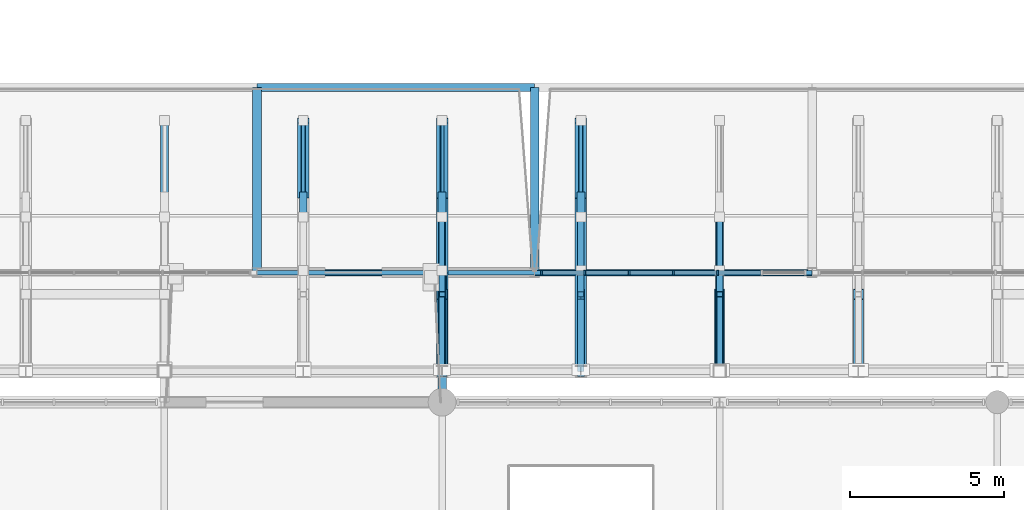
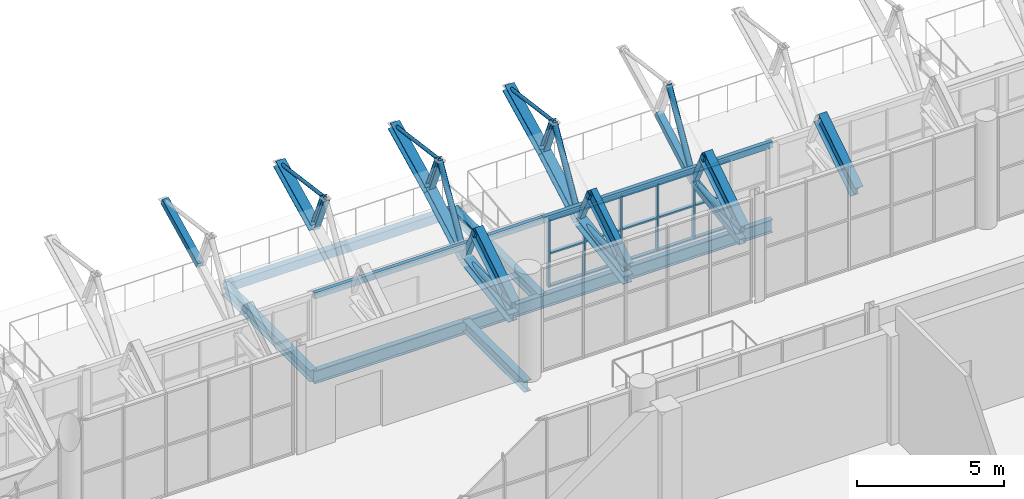
# One storey, part 61 of 134: 45 members, 12 beams, 1 element without a shape of its own.
"""IFC4 building model written with IfcOpenShell, lengths in metres."""

from ifc_helpers import new_model, si_unit, direction, frame, origin, origin_2d, place, context, subcontext, project, spatial, rectangle, hollow_rectangle, hollow_circle, i_section, extrude, material, layer, layer_set, material_profile, profile_set, type_object, element, aggregate, save


model = new_model("IFC4")

# Units and contexts
model_context = context("Model", 3, precision=1e-05, world=origin(), true_north=direction((0.0, 1.0)))
body_context = subcontext(model_context, "Body", "Model", "MODEL_VIEW")
ifc_project = project(units=[si_unit("LENGTHUNIT", "METRE"), si_unit("AREAUNIT", "SQUARE_METRE"), si_unit("VOLUMEUNIT", "CUBIC_METRE"), si_unit("PLANEANGLEUNIT", "RADIAN"), si_unit("MASSUNIT", "GRAM", prefix="KILO")], contexts=[model_context])

# Site, building, storey
site_placement = place(None, origin())
site = spatial("IfcSite", under=ifc_project, at=site_placement, CompositionType="ELEMENT")
building_placement = place(site_placement, origin())
building = spatial("IfcBuilding", under=site, at=building_placement, Name="Cazmaro Siding Exhibition Halls", CompositionType="ELEMENT")
storey_placement = place(building_placement, frame((0.0, 0.0, 12.0)))
storey = spatial("IfcBuildingStorey", under=building, at=storey_placement, Name="L02", CompositionType="ELEMENT", Elevation=12.0)

# Beams
ifc_material_1 = material(Name="Steel ASTM A992 Grade 50", Category="steel")
ifc_material_profile_1 = material_profile(ifc_material_1, i_section(OverallWidth=0.327880859375, OverallDepth=0.626953125, WebThickness=0.01708984375, FlangeThickness=0.028076171875, at=origin_2d()), Name="W24X146")
ifc_profile_set_1 = profile_set([ifc_material_profile_1], Name="Steel ASTM A992 Grade 50")
beam_type_1 = type_object("IfcBeamType", Name="AR-01", PredefinedType="USERDEFINED", material=ifc_profile_set_1)
beam_1_placement = place(storey_placement, frame((99.0, 64.0, 2.300048828125), z_axis=(0.0, 0.843339173298, 0.537381650954), x_axis=(-1.0, 0.0, 0.0)))
element("IfcBeam", 1, at=beam_1_placement, inside=storey, type_object=beam_type_1, Name="Space frame barrel vault arched rib AR-01 BM-0823", ObjectType="ARCHED RIB", PredefinedType="USERDEFINED", context=body_context, shape_type="SweptSolid", body=[
    extrude(i_section(OverallWidth=0.327880859375, OverallDepth=0.626953125, WebThickness=0.01708984375, FlangeThickness=0.028076171875, at=origin_2d()), origin(), (0.0, 0.0, 1.0), 2.96435546875),
])
ifc_material_2 = material(Name="Steel ASTM A992 Grade 50", Category="steel")
ifc_material_profile_2 = material_profile(ifc_material_2, i_section(OverallWidth=0.324951171875, OverallDepth=0.612060546875, WebThickness=0.012939453125, FlangeThickness=0.01904296875, at=origin_2d()), Name="W24X104")
ifc_profile_set_2 = profile_set([ifc_material_profile_2], Name="Steel ASTM A992 Grade 50")
beam_type_2 = type_object("IfcBeamType", Name="AR-02", PredefinedType="USERDEFINED", material=ifc_profile_set_2)
for number, where, z_axis, x_axis, name in (
    (2, (90.0, 64.0, 2.300048828125), (0.0, 0.843339173298, 0.537381650954), (-1.0, 0.0, 0.0), "Space frame barrel vault arched rib AR-02 BM-0775"),
    (3, (103.5, 64.0, 2.300048828125), (0.0, 0.843339173298, 0.537381650954), (-1.0, 0.0, 0.0), "Space frame barrel vault arched rib AR-02 BM-0847"),
):
    element("IfcBeam", number, at=place(storey_placement, frame(where, z_axis=z_axis, x_axis=x_axis)), inside=storey, type_object=beam_type_2, Name=name, ObjectType="ARCHED RIB", PredefinedType="USERDEFINED", context=body_context, shape_type="SweptSolid", body=[
        extrude(i_section(OverallWidth=0.324951171875, OverallDepth=0.612060546875, WebThickness=0.012939453125, FlangeThickness=0.01904296875, at=origin_2d()), origin(), (0.0, 0.0, 1.0), 2.96435546875),
    ])
ifc_material_3 = material(Name="Steel ASTM A992 Grade 50", Category="steel")
ifc_material_profile_3 = material_profile(ifc_material_3, i_section(OverallWidth=0.22900390625, OverallDepth=0.612060546875, WebThickness=0.011962890625, FlangeThickness=0.02001953125, at=origin_2d()), Name="W24X84")
ifc_profile_set_3 = profile_set([ifc_material_profile_3], Name="Steel ASTM A992 Grade 50")
beam_type_3 = type_object("IfcBeamType", Name="AR-03", PredefinedType="USERDEFINED", material=ifc_profile_set_3)
beam_2_placement = place(storey_placement, frame((94.5, 64.0, 2.300048828125), z_axis=(0.0, 0.843339173298, 0.537381650954), x_axis=(-1.0, 0.0, 0.0)))
element("IfcBeam", 4, at=beam_2_placement, inside=storey, type_object=beam_type_3, Name="Space frame barrel vault arched rib AR-03 BM-0799", ObjectType="ARCHED RIB", PredefinedType="USERDEFINED", context=body_context, shape_type="SweptSolid", body=[
    extrude(i_section(OverallWidth=0.22900390625, OverallDepth=0.612060546875, WebThickness=0.011962890625, FlangeThickness=0.02001953125, at=origin_2d()), origin(), (0.0, 0.0, 1.0), 2.96435546875),
])
ifc_material_4 = material(Name="Steel ASTM A992 Grade 50", Category="steel")
ifc_material_profile_4 = material_profile(ifc_material_4, i_section(OverallWidth=0.2099609375, OverallDepth=0.535888671875, WebThickness=0.010986328125, FlangeThickness=0.01708984375, at=origin_2d()), Name="W21X68")
ifc_profile_set_4 = profile_set([ifc_material_profile_4], Name="Steel ASTM A992 Grade 50")
beam_type_4 = type_object("IfcBeamType", Name="B-02", PredefinedType="BEAM", material=ifc_profile_set_4)
for number, where, z_axis, x_axis, name in (
    (5, (84.0, 67.199951171875, -0.488037109375), (1.0, 0.0, 0.0), (0.0, 1.0, 0.0), "Beam B-02 BM-0457"),
    (6, (93.0, 67.199951171875, -0.488037109375), (1.0, 0.0, 0.0), (0.0, 1.0, 0.0), "Beam B-02 BM-0459"),
):
    element("IfcBeam", number, at=place(storey_placement, frame(where, z_axis=z_axis, x_axis=x_axis)), inside=storey, type_object=beam_type_4, Name=name, PredefinedType="BEAM", context=body_context, shape_type="SweptSolid", body=[
        extrude(i_section(OverallWidth=0.2099609375, OverallDepth=0.535888671875, WebThickness=0.010986328125, FlangeThickness=0.01708984375, at=origin_2d()), origin(), (0.0, 0.0, 1.0), 9.0),
    ])
ifc_material_5 = material(Name="Steel ASTM A992 Grade 50", Category="steel")
ifc_material_profile_5 = material_profile(ifc_material_5, i_section(OverallWidth=0.279052734375, OverallDepth=0.4619140625, WebThickness=0.010986328125, FlangeThickness=0.01708984375, at=origin_2d()), Name="W18X76")
ifc_profile_set_5 = profile_set([ifc_material_profile_5], Name="Steel ASTM A992 Grade 50")
beam_type_5 = type_object("IfcBeamType", Name="B-03", PredefinedType="BEAM", material=ifc_profile_set_5)
for number, where, z_axis, x_axis, name in (
    (7, (84.0, 67.199951171875, -0.450927734375), (0.0, 1.0, 0.0), (-1.0, 0.0, 0.0), "Beam B-03 BM-0476"),
    (8, (93.0, 67.199951171875, -0.450927734375), (0.0, 1.0, 0.0), (-1.0, 0.0, 0.0), "Beam B-03 BM-0477"),
):
    element("IfcBeam", number, at=place(storey_placement, frame(where, z_axis=z_axis, x_axis=x_axis)), inside=storey, type_object=beam_type_5, Name=name, PredefinedType="BEAM", context=body_context, shape_type="SweptSolid", body=[
        extrude(i_section(OverallWidth=0.279052734375, OverallDepth=0.4619140625, WebThickness=0.010986328125, FlangeThickness=0.01708984375, at=origin_2d()), origin(), (0.0, 0.0, 1.0), 6.0),
    ])
beam_3_placement = place(storey_placement, frame((90.0, 63.0, -0.450927734375), z_axis=(0.0, 1.0, 0.0), x_axis=(-1.0, 0.0, 0.0)))
element("IfcBeam", 9, at=beam_3_placement, inside=storey, type_object=beam_type_5, Name="Beam B-03 BM-2521", PredefinedType="BEAM", context=body_context, shape_type="SweptSolid", body=[
    extrude(i_section(OverallWidth=0.279052734375, OverallDepth=0.4619140625, WebThickness=0.010986328125, FlangeThickness=0.01708984375, at=origin_2d()), origin(), (0.0, 0.0, 1.0), 4.199951171875),
])
ifc_material_6 = material(Name="Steel ASTM A500 Grade C", Category="steel")
ifc_material_profile_6 = material_profile(ifc_material_6, hollow_rectangle(XDim=0.25390625, YDim=0.35595703125, WallThickness=0.014892578125, at=origin_2d()), Name="HSS14X10X5/8")
ifc_profile_set_6 = profile_set([ifc_material_profile_6], Name="Steel ASTM A500 Grade C")
beam_type_6 = type_object("IfcBeamType", Name="B-06", PredefinedType="BEAM", material=ifc_profile_set_6)
beam_4_placement = place(storey_placement, frame((84.0, 73.199951171875, -0.39794921875), z_axis=(1.0, 0.0, 0.0), x_axis=(0.0, 1.0, 0.0)))
element("IfcBeam", 10, at=beam_4_placement, inside=storey, type_object=beam_type_6, Name="Beam B-06 BM-0458", PredefinedType="BEAM", context=body_context, shape_type="SweptSolid", body=[
    extrude(hollow_rectangle(XDim=0.25390625, YDim=0.35595703125, WallThickness=0.014892578125, at=origin_2d()), origin(), (0.0, 0.0, 1.0), 9.0),
])

# Curtain wall, members
ifc_material_7 = material(Name="Anodized Bronze Aluminum and Solar-Control Low-E Glazing", Category="aluminium")
ifc_layer = layer(ifc_material_7, 0.159912109375)
ifc_layer_set = layer_set([ifc_layer], Name="Anodized Bronze Aluminum and Solar-Control Low-E Glazing")
curtain_wall_type = type_object("IfcCurtainWallType", Name="CWS-04", PredefinedType="USERDEFINED", material=ifc_layer_set)
curtain_wall_placement = place(storey_placement, origin())
curtain_wall = element("IfcCurtainWall", 11, at=curtain_wall_placement, inside=storey, type_object=curtain_wall_type, Name="Clerestory Curtain Wall CWS-04 CW-021", ObjectType="CLERESTORY CURTAIN WALL", PredefinedType="USERDEFINED")
ifc_material_8 = material(Name="Anodized Bronze Extruded Aluminum", Category="aluminium")
ifc_material_profile_7 = material_profile(ifc_material_8, rectangle(XDim=0.159912109375, YDim=0.06005859375, at=origin_2d()), Name="CWM-04")
ifc_profile_set_7 = profile_set([ifc_material_profile_7], Name="Anodized Bronze Extruded Aluminum")
member_type_1 = type_object("IfcMemberType", Name="CWM-04", PredefinedType="MULLION", material=ifc_profile_set_7)
member_1_placement = place(storey_placement, frame((93.22705078125, 67.199951171875, 0.0), z_axis=(0.0, 0.0, 1.0), x_axis=(0.0, 1.0, 0.0)))
member_1 = element("IfcMember", 12, at=member_1_placement, type_object=member_type_1, Name="CWS-04 mullion 1", PredefinedType="MULLION", context=body_context, shape_type="SweptSolid", body=[
    extrude(rectangle(XDim=0.159912109375, YDim=0.06005859375, at=origin_2d()), origin(), (0.0, 0.0, 1.0), 2.800048828125),
])
member_2_placement = place(storey_placement, frame((94.63134765625, 67.199951171875, 0.0), z_axis=(0.0, 0.0, 1.0), x_axis=(0.0, 1.0, 0.0)))
member_2 = element("IfcMember", 13, at=member_2_placement, type_object=member_type_1, Name="CWS-04 mullion 2", PredefinedType="MULLION", context=body_context, shape_type="SweptSolid", body=[
    extrude(rectangle(XDim=0.159912109375, YDim=0.06005859375, at=origin_2d()), origin(), (0.0, 0.0, 1.0), 2.800048828125),
])
member_3_placement = place(storey_placement, frame((96.065673828125, 67.199951171875, 0.0), z_axis=(0.0, 0.0, 1.0), x_axis=(0.0, 1.0, 0.0)))
member_3 = element("IfcMember", 14, at=member_3_placement, type_object=member_type_1, Name="CWS-04 mullion 3", PredefinedType="MULLION", context=body_context, shape_type="SweptSolid", body=[
    extrude(rectangle(XDim=0.159912109375, YDim=0.06005859375, at=origin_2d()), origin(), (0.0, 0.0, 1.0), 2.800048828125),
])
member_4_placement = place(storey_placement, frame((97.5, 67.199951171875, 0.0), z_axis=(0.0, 0.0, 1.0), x_axis=(0.0, 1.0, 0.0)))
member_4 = element("IfcMember", 15, at=member_4_placement, type_object=member_type_1, Name="CWS-04 mullion 4", PredefinedType="MULLION", context=body_context, shape_type="SweptSolid", body=[
    extrude(rectangle(XDim=0.159912109375, YDim=0.06005859375, at=origin_2d()), origin(), (0.0, 0.0, 1.0), 2.800048828125),
])
member_5_placement = place(storey_placement, frame((98.934326171875, 67.199951171875, 0.0), z_axis=(0.0, 0.0, 1.0), x_axis=(0.0, 1.0, 0.0)))
member_5 = element("IfcMember", 16, at=member_5_placement, type_object=member_type_1, Name="CWS-04 mullion 5", PredefinedType="MULLION", context=body_context, shape_type="SweptSolid", body=[
    extrude(rectangle(XDim=0.159912109375, YDim=0.06005859375, at=origin_2d()), origin(), (0.0, 0.0, 1.0), 2.800048828125),
])
ifc_material_9 = material(Name="Anodized Bronze Extruded Aluminum", Category="aluminium")
ifc_material_profile_8 = material_profile(ifc_material_9, rectangle(XDim=0.139892578125, YDim=0.06005859375, at=origin_2d()), Name="CWT-04")
ifc_profile_set_8 = profile_set([ifc_material_profile_8], Name="Anodized Bronze Extruded Aluminum")
member_type_2 = type_object("IfcMemberType", Name="CWT-04", PredefinedType="MULLION", material=ifc_profile_set_8)
member_6_placement = place(storey_placement, frame((93.257080078125, 67.199951171875, 0.030029296875), z_axis=(1.0, 0.0, 0.0), x_axis=(0.0, 1.0, 0.0)))
member_6 = element("IfcMember", 17, at=member_6_placement, type_object=member_type_2, Name="CWS-04 transom 1.1", ObjectType="TRANSOM", PredefinedType="USERDEFINED", context=body_context, shape_type="SweptSolid", body=[
    extrude(rectangle(XDim=0.139892578125, YDim=0.06005859375, at=origin_2d()), origin(), (0.0, 0.0, 1.0), 1.34423828125),
])
member_7_placement = place(storey_placement, frame((93.257080078125, 67.199951171875, 1.39990234375), z_axis=(1.0, 0.0, 0.0), x_axis=(0.0, 1.0, 0.0)))
member_7 = element("IfcMember", 18, at=member_7_placement, type_object=member_type_2, Name="CWS-04 transom 1.2", ObjectType="TRANSOM", PredefinedType="USERDEFINED", context=body_context, shape_type="SweptSolid", body=[
    extrude(rectangle(XDim=0.139892578125, YDim=0.06005859375, at=origin_2d()), origin(), (0.0, 0.0, 1.0), 1.34423828125),
])
member_8_placement = place(storey_placement, frame((93.257080078125, 67.199951171875, 2.77001953125), z_axis=(1.0, 0.0, 0.0), x_axis=(0.0, 1.0, 0.0)))
member_8 = element("IfcMember", 19, at=member_8_placement, type_object=member_type_2, Name="CWS-04 transom 1.3", ObjectType="TRANSOM", PredefinedType="USERDEFINED", context=body_context, shape_type="SweptSolid", body=[
    extrude(rectangle(XDim=0.139892578125, YDim=0.06005859375, at=origin_2d()), origin(), (0.0, 0.0, 1.0), 1.34423828125),
])
member_9_placement = place(storey_placement, frame((94.661376953125, 67.199951171875, 0.030029296875), z_axis=(1.0, 0.0, 0.0), x_axis=(0.0, 1.0, 0.0)))
member_9 = element("IfcMember", 20, at=member_9_placement, type_object=member_type_2, Name="CWS-04 transom 2.1", ObjectType="TRANSOM", PredefinedType="USERDEFINED", context=body_context, shape_type="SweptSolid", body=[
    extrude(rectangle(XDim=0.139892578125, YDim=0.06005859375, at=origin_2d()), origin(), (0.0, 0.0, 1.0), 1.374267578125),
])
member_10_placement = place(storey_placement, frame((94.661376953125, 67.199951171875, 1.39990234375), z_axis=(1.0, 0.0, 0.0), x_axis=(0.0, 1.0, 0.0)))
member_10 = element("IfcMember", 21, at=member_10_placement, type_object=member_type_2, Name="CWS-04 transom 2.2", ObjectType="TRANSOM", PredefinedType="USERDEFINED", context=body_context, shape_type="SweptSolid", body=[
    extrude(rectangle(XDim=0.139892578125, YDim=0.06005859375, at=origin_2d()), origin(), (0.0, 0.0, 1.0), 1.374267578125),
])
member_11_placement = place(storey_placement, frame((94.661376953125, 67.199951171875, 2.77001953125), z_axis=(1.0, 0.0, 0.0), x_axis=(0.0, 1.0, 0.0)))
member_11 = element("IfcMember", 22, at=member_11_placement, type_object=member_type_2, Name="CWS-04 transom 2.3", ObjectType="TRANSOM", PredefinedType="USERDEFINED", context=body_context, shape_type="SweptSolid", body=[
    extrude(rectangle(XDim=0.139892578125, YDim=0.06005859375, at=origin_2d()), origin(), (0.0, 0.0, 1.0), 1.374267578125),
])
member_12_placement = place(storey_placement, frame((96.095703125, 67.199951171875, 0.030029296875), z_axis=(1.0, 0.0, 0.0), x_axis=(0.0, 1.0, 0.0)))
member_12 = element("IfcMember", 23, at=member_12_placement, type_object=member_type_2, Name="CWS-04 transom 3.1", ObjectType="TRANSOM", PredefinedType="USERDEFINED", context=body_context, shape_type="SweptSolid", body=[
    extrude(rectangle(XDim=0.139892578125, YDim=0.06005859375, at=origin_2d()), origin(), (0.0, 0.0, 1.0), 1.374267578125),
])
member_13_placement = place(storey_placement, frame((96.095703125, 67.199951171875, 1.39990234375), z_axis=(1.0, 0.0, 0.0), x_axis=(0.0, 1.0, 0.0)))
member_13 = element("IfcMember", 24, at=member_13_placement, type_object=member_type_2, Name="CWS-04 transom 3.2", ObjectType="TRANSOM", PredefinedType="USERDEFINED", context=body_context, shape_type="SweptSolid", body=[
    extrude(rectangle(XDim=0.139892578125, YDim=0.06005859375, at=origin_2d()), origin(), (0.0, 0.0, 1.0), 1.374267578125),
])
member_14_placement = place(storey_placement, frame((96.095703125, 67.199951171875, 2.77001953125), z_axis=(1.0, 0.0, 0.0), x_axis=(0.0, 1.0, 0.0)))
member_14 = element("IfcMember", 25, at=member_14_placement, type_object=member_type_2, Name="CWS-04 transom 3.3", ObjectType="TRANSOM", PredefinedType="USERDEFINED", context=body_context, shape_type="SweptSolid", body=[
    extrude(rectangle(XDim=0.139892578125, YDim=0.06005859375, at=origin_2d()), origin(), (0.0, 0.0, 1.0), 1.374267578125),
])
member_15_placement = place(storey_placement, frame((97.530029296875, 67.199951171875, 0.030029296875), z_axis=(1.0, 0.0, 0.0), x_axis=(0.0, 1.0, 0.0)))
member_15 = element("IfcMember", 26, at=member_15_placement, type_object=member_type_2, Name="CWS-04 transom 4.1", ObjectType="TRANSOM", PredefinedType="USERDEFINED", context=body_context, shape_type="SweptSolid", body=[
    extrude(rectangle(XDim=0.139892578125, YDim=0.06005859375, at=origin_2d()), origin(), (0.0, 0.0, 1.0), 1.374267578125),
])
member_16_placement = place(storey_placement, frame((97.530029296875, 67.199951171875, 1.39990234375), z_axis=(1.0, 0.0, 0.0), x_axis=(0.0, 1.0, 0.0)))
member_16 = element("IfcMember", 27, at=member_16_placement, type_object=member_type_2, Name="CWS-04 transom 4.2", ObjectType="TRANSOM", PredefinedType="USERDEFINED", context=body_context, shape_type="SweptSolid", body=[
    extrude(rectangle(XDim=0.139892578125, YDim=0.06005859375, at=origin_2d()), origin(), (0.0, 0.0, 1.0), 1.374267578125),
])
member_17_placement = place(storey_placement, frame((97.530029296875, 67.199951171875, 2.77001953125), z_axis=(1.0, 0.0, 0.0), x_axis=(0.0, 1.0, 0.0)))
member_17 = element("IfcMember", 28, at=member_17_placement, type_object=member_type_2, Name="CWS-04 transom 4.3", ObjectType="TRANSOM", PredefinedType="USERDEFINED", context=body_context, shape_type="SweptSolid", body=[
    extrude(rectangle(XDim=0.139892578125, YDim=0.06005859375, at=origin_2d()), origin(), (0.0, 0.0, 1.0), 1.374267578125),
])
member_18_placement = place(storey_placement, frame((98.96435546875, 67.199951171875, 0.030029296875), z_axis=(1.0, 0.0, 0.0), x_axis=(0.0, 1.0, 0.0)))
member_18 = element("IfcMember", 29, at=member_18_placement, type_object=member_type_2, Name="CWS-04 transom 5.1", ObjectType="TRANSOM", PredefinedType="USERDEFINED", context=body_context, shape_type="SweptSolid", body=[
    extrude(rectangle(XDim=0.139892578125, YDim=0.06005859375, at=origin_2d()), origin(), (0.0, 0.0, 1.0), 1.374267578125),
])
member_19_placement = place(storey_placement, frame((98.96435546875, 67.199951171875, 1.39990234375), z_axis=(1.0, 0.0, 0.0), x_axis=(0.0, 1.0, 0.0)))
member_19 = element("IfcMember", 30, at=member_19_placement, type_object=member_type_2, Name="CWS-04 transom 5.2", ObjectType="TRANSOM", PredefinedType="USERDEFINED", context=body_context, shape_type="SweptSolid", body=[
    extrude(rectangle(XDim=0.139892578125, YDim=0.06005859375, at=origin_2d()), origin(), (0.0, 0.0, 1.0), 1.374267578125),
])
member_20_placement = place(storey_placement, frame((98.96435546875, 67.199951171875, 2.77001953125), z_axis=(1.0, 0.0, 0.0), x_axis=(0.0, 1.0, 0.0)))
member_20 = element("IfcMember", 31, at=member_20_placement, type_object=member_type_2, Name="CWS-04 transom 5.3", ObjectType="TRANSOM", PredefinedType="USERDEFINED", context=body_context, shape_type="SweptSolid", body=[
    extrude(rectangle(XDim=0.139892578125, YDim=0.06005859375, at=origin_2d()), origin(), (0.0, 0.0, 1.0), 1.374267578125),
])
aggregate(curtain_wall, [member_1, member_2, member_3, member_4, member_5, member_6, member_7, member_8, member_9, member_10, member_11, member_12, member_13, member_14, member_15, member_16, member_17, member_18, member_19, member_20])

# Beams
ifc_material_10 = material(Name="Steel ASTM A500 Grade C", Category="steel")
ifc_material_profile_9 = material_profile(ifc_material_10, hollow_rectangle(XDim=0.152099609375, YDim=0.25390625, WallThickness=0.011962890625, at=origin_2d()), Name="HSS10X6X1/2")
ifc_profile_set_9 = profile_set([ifc_material_profile_9], Name="Steel ASTM A500 Grade C")
beam_type_7 = type_object("IfcBeamType", Name="SP-02", PredefinedType="SPANDREL", material=ifc_profile_set_9)
for number, where, z_axis, x_axis, name in (
    (32, (84.0, 67.199951171875, 2.873046875), (1.0, 0.0, 0.0), (0.0, 1.0, 0.0), "Beam SP-02 BM-0237"),
    (33, (93.0, 67.199951171875, 2.873046875), (1.0, 0.0, 0.0), (0.0, 1.0, 0.0), "Beam SP-02 BM-0239"),
):
    element("IfcBeam", number, at=place(storey_placement, frame(where, z_axis=z_axis, x_axis=x_axis)), inside=storey, type_object=beam_type_7, Name=name, PredefinedType="SPANDREL", context=body_context, shape_type="SweptSolid", body=[
        extrude(hollow_rectangle(XDim=0.152099609375, YDim=0.25390625, WallThickness=0.011962890625, at=origin_2d()), origin(), (0.0, 0.0, 1.0), 9.0),
    ])

# Members
ifc_material_11 = material(Name="Steel ASTM A500 Grade C", Category="steel")
ifc_material_profile_10 = material_profile(ifc_material_11, hollow_rectangle(XDim=0.25390625, YDim=0.25390625, WallThickness=0.014892578125, at=origin_2d()), Name="HSS10X10X5/8")
ifc_profile_set_10 = profile_set([ifc_material_profile_10], Name="Steel ASTM A500 Grade C")
member_type_3 = type_object("IfcMemberType", Name="TC-01", PredefinedType="CHORD", material=ifc_profile_set_10)
member_21_placement = place(storey_placement, frame((81.0, 69.700927734375, 3.675048828125), z_axis=(0.0, 0.896077457924, 0.443897724033), x_axis=(-1.0, 0.0, 0.0)))
element("IfcMember", 34, at=member_21_placement, inside=storey, type_object=member_type_3, Name="Space frame barrel vault bottom chord TC-01 MEM-0525", PredefinedType="CHORD", context=body_context, shape_type="SweptSolid", body=[
    extrude(hollow_rectangle(XDim=0.25390625, YDim=0.25390625, WallThickness=0.014892578125, at=origin_2d()), origin(), (0.0, 0.0, 1.0), 2.7119140625),
])
member_22_placement = place(storey_placement, frame((99.0, 64.0, 1.800048828125), z_axis=(0.0, 0.988252010809, 0.152833121839), x_axis=(-1.0, 0.0, 0.0)))
element("IfcMember", 35, at=member_22_placement, inside=storey, type_object=member_type_3, Name="Space frame barrel vault bottom chord TC-01 MEM-0805", PredefinedType="CHORD", context=body_context, shape_type="SweptSolid", body=[
    extrude(hollow_rectangle(XDim=0.25390625, YDim=0.25390625, WallThickness=0.014892578125, at=origin_2d()), origin(), (0.0, 0.0, 1.0), 3.309814453125),
])
member_23_placement = place(storey_placement, frame((99.0, 67.27099609375, 2.305908203125), z_axis=(0.0, 0.871222319466, 0.490888653428), x_axis=(-1.0, 0.0, 0.0)))
element("IfcMember", 36, at=member_23_placement, inside=storey, type_object=member_type_3, Name="Space frame barrel vault bottom chord TC-01 MEM-0807", PredefinedType="CHORD", context=body_context, shape_type="SweptSolid", body=[
    extrude(hollow_rectangle(XDim=0.25390625, YDim=0.25390625, WallThickness=0.014892578125, at=origin_2d()), origin(), (0.0, 0.0, 1.0), 2.7890625),
])
ifc_material_12 = material(Name="Steel ASTM A992 Grade 50", Category="steel")
ifc_material_profile_11 = material_profile(ifc_material_12, i_section(OverallWidth=0.37109375, OverallDepth=0.364013671875, WebThickness=0.012939453125, FlangeThickness=0.02197265625, at=origin_2d()), Name="W14X109")
ifc_profile_set_11 = profile_set([ifc_material_profile_11], Name="Steel ASTM A992 Grade 50")
member_type_4 = type_object("IfcMemberType", Name="TC-06", PredefinedType="CHORD", material=ifc_profile_set_11)
member_24_placement = place(storey_placement, frame((85.5, 69.700927734375, 3.675048828125), z_axis=(0.0, 0.896077457924, 0.443897724033), x_axis=(-1.0, 0.0, 0.0)))
element("IfcMember", 37, at=member_24_placement, inside=storey, type_object=member_type_4, Name="Space frame barrel vault bottom chord TC-06 MEM-0596", PredefinedType="CHORD", context=body_context, shape_type="SweptSolid", body=[
    extrude(i_section(OverallWidth=0.37109375, OverallDepth=0.364013671875, WebThickness=0.012939453125, FlangeThickness=0.02197265625, at=origin_2d()), origin(), (0.0, 0.0, 1.0), 2.7119140625),
])
member_25_placement = place(storey_placement, frame((90.0, 64.0, 1.800048828125), z_axis=(0.0, 0.988252010809, 0.152833121839), x_axis=(-1.0, 0.0, 0.0)))
element("IfcMember", 38, at=member_25_placement, inside=storey, type_object=member_type_4, Name="Space frame barrel vault bottom chord TC-06 MEM-0663", PredefinedType="CHORD", context=body_context, shape_type="SweptSolid", body=[
    extrude(i_section(OverallWidth=0.37109375, OverallDepth=0.364013671875, WebThickness=0.012939453125, FlangeThickness=0.02197265625, at=origin_2d()), origin(), (0.0, 0.0, 1.0), 3.309814453125),
])
member_26_placement = place(storey_placement, frame((90.0, 67.27099609375, 2.305908203125), z_axis=(0.0, 0.871222319466, 0.490888653428), x_axis=(-1.0, 0.0, 0.0)))
element("IfcMember", 39, at=member_26_placement, inside=storey, type_object=member_type_4, Name="Space frame barrel vault bottom chord TC-06 MEM-0665", PredefinedType="CHORD", context=body_context, shape_type="SweptSolid", body=[
    extrude(i_section(OverallWidth=0.37109375, OverallDepth=0.364013671875, WebThickness=0.012939453125, FlangeThickness=0.02197265625, at=origin_2d()), origin(), (0.0, 0.0, 1.0), 2.7890625),
])
member_27_placement = place(storey_placement, frame((90.0, 69.700927734375, 3.675048828125), z_axis=(0.0, 0.896077457924, 0.443897724033), x_axis=(-1.0, 0.0, 0.0)))
element("IfcMember", 40, at=member_27_placement, inside=storey, type_object=member_type_4, Name="Space frame barrel vault bottom chord TC-06 MEM-0667", PredefinedType="CHORD", context=body_context, shape_type="SweptSolid", body=[
    extrude(i_section(OverallWidth=0.37109375, OverallDepth=0.364013671875, WebThickness=0.012939453125, FlangeThickness=0.02197265625, at=origin_2d()), origin(), (0.0, 0.0, 1.0), 2.7119140625),
])
member_28_placement = place(storey_placement, frame((94.5, 64.0, 1.800048828125), z_axis=(0.0, 0.988252010809, 0.152833121839), x_axis=(-1.0, 0.0, 0.0)))
element("IfcMember", 41, at=member_28_placement, inside=storey, type_object=member_type_4, Name="Space frame barrel vault bottom chord TC-06 MEM-0734", PredefinedType="CHORD", context=body_context, shape_type="SweptSolid", body=[
    extrude(i_section(OverallWidth=0.37109375, OverallDepth=0.364013671875, WebThickness=0.012939453125, FlangeThickness=0.02197265625, at=origin_2d()), origin(), (0.0, 0.0, 1.0), 3.309814453125),
])
member_29_placement = place(storey_placement, frame((94.5, 67.27099609375, 2.305908203125), z_axis=(0.0, 0.871222319466, 0.490888653428), x_axis=(-1.0, 0.0, 0.0)))
element("IfcMember", 42, at=member_29_placement, inside=storey, type_object=member_type_4, Name="Space frame barrel vault bottom chord TC-06 MEM-0736", PredefinedType="CHORD", context=body_context, shape_type="SweptSolid", body=[
    extrude(i_section(OverallWidth=0.37109375, OverallDepth=0.364013671875, WebThickness=0.012939453125, FlangeThickness=0.02197265625, at=origin_2d()), origin(), (0.0, 0.0, 1.0), 2.7890625),
])
member_30_placement = place(storey_placement, frame((94.5, 69.700927734375, 3.675048828125), z_axis=(0.0, 0.896077457924, 0.443897724033), x_axis=(-1.0, 0.0, 0.0)))
element("IfcMember", 43, at=member_30_placement, inside=storey, type_object=member_type_4, Name="Space frame barrel vault bottom chord TC-06 MEM-0738", PredefinedType="CHORD", context=body_context, shape_type="SweptSolid", body=[
    extrude(i_section(OverallWidth=0.37109375, OverallDepth=0.364013671875, WebThickness=0.012939453125, FlangeThickness=0.02197265625, at=origin_2d()), origin(), (0.0, 0.0, 1.0), 2.7119140625),
])
ifc_material_13 = material(Name="Steel ASTM A500 Grade C", Category="steel")
ifc_material_profile_12 = material_profile(ifc_material_13, hollow_rectangle(XDim=0.202880859375, YDim=0.202880859375, WallThickness=0.011962890625, at=origin_2d()), Name="HSS8X8X1/2")
ifc_profile_set_12 = profile_set([ifc_material_profile_12], Name="Steel ASTM A500 Grade C")
member_type_5 = type_object("IfcMemberType", Name="TP-01", PredefinedType="POST", material=ifc_profile_set_12)
for number, where, z_axis, x_axis, name in (
    (44, (90.0, 67.27099609375, 2.305908203125), (0.0, -0.436945543824, 0.89948796086), (1.0, 0.0, 0.0), "Space frame barrel vault post TP-01 MEM-0711"),
    (45, (94.5, 67.27099609375, 2.305908203125), (0.0, -0.436945543824, 0.89948796086), (1.0, 0.0, 0.0), "Space frame barrel vault post TP-01 MEM-0782"),
    (46, (99.0, 67.27099609375, 2.305908203125), (0.0, -0.436945543824, 0.89948796086), (1.0, 0.0, 0.0), "Space frame barrel vault post TP-01 MEM-0853"),
):
    element("IfcMember", number, at=place(storey_placement, frame(where, z_axis=z_axis, x_axis=x_axis)), inside=storey, type_object=member_type_5, Name=name, PredefinedType="POST", context=body_context, shape_type="SweptSolid", body=[
        extrude(hollow_rectangle(XDim=0.202880859375, YDim=0.202880859375, WallThickness=0.011962890625, at=origin_2d()), origin(), (0.0, 0.0, 1.0), 1.764404296875),
    ])
ifc_material_14 = material(Name="Steel ASTM A992 Grade 50", Category="steel")
ifc_material_profile_13 = material_profile(ifc_material_14, i_section(OverallWidth=0.25390625, OverallDepth=0.25390625, WebThickness=0.009033203125, FlangeThickness=0.013916015625, at=origin_2d()), Name="W10X49")
ifc_profile_set_13 = profile_set([ifc_material_profile_13], Name="Steel ASTM A992 Grade 50")
member_type_6 = type_object("IfcMemberType", Name="TP-04", PredefinedType="POST", material=ifc_profile_set_13)
for number, where, z_axis, x_axis, name in (
    (47, (85.5, 69.700927734375, 3.675048828125), (0.0, -0.395865434272, 0.918308530913), (1.0, 0.0, 0.0), "Space frame barrel vault post TP-04 MEM-0641"),
    (48, (90.0, 69.700927734375, 3.675048828125), (0.0, -0.395865434272, 0.918308530913), (1.0, 0.0, 0.0), "Space frame barrel vault post TP-04 MEM-0712"),
    (49, (94.5, 69.700927734375, 3.675048828125), (0.0, -0.395865434272, 0.918308530913), (1.0, 0.0, 0.0), "Space frame barrel vault post TP-04 MEM-0783"),
):
    element("IfcMember", number, at=place(storey_placement, frame(where, z_axis=z_axis, x_axis=x_axis)), inside=storey, type_object=member_type_6, Name=name, PredefinedType="POST", context=body_context, shape_type="SweptSolid", body=[
        extrude(i_section(OverallWidth=0.25390625, OverallDepth=0.25390625, WebThickness=0.009033203125, FlangeThickness=0.013916015625, at=origin_2d()), origin(), (0.0, 0.0, 1.0), 1.7705078125),
    ])
ifc_material_15 = material(Name="Steel ASTM A500 Grade C", Category="steel")
ifc_material_profile_14 = material_profile(ifc_material_15, hollow_circle(Radius=0.109619140625, WallThickness=0.012939453125, at=origin_2d()), Name="PIPE8XS")
ifc_profile_set_14 = profile_set([ifc_material_profile_14], Name="Steel ASTM A500 Grade C")
member_type_7 = type_object("IfcMemberType", Name="WB-01", PredefinedType="BRACE", material=ifc_profile_set_14)
member_31_placement = place(storey_placement, frame((90.0, 64.0, 2.300048828125), z_axis=(0.0, 0.999998395604, 0.001791309262), x_axis=(-1.0, 0.0, 0.0)))
element("IfcMember", 50, at=member_31_placement, inside=storey, type_object=member_type_7, Name="Space frame barrel vault diagonal WB-01 MEM-0664", PredefinedType="BRACE", context=body_context, shape_type="SweptSolid", body=[
    extrude(hollow_circle(Radius=0.109619140625, WallThickness=0.012939453125, at=origin_2d()), origin(), (0.0, 0.0, 1.0), 3.27099609375),
])
member_32_placement = place(storey_placement, frame((90.0, 67.27099609375, 2.305908203125), z_axis=(0.0, 0.499950595228, 0.866053925764), x_axis=(-1.0, 0.0, 0.0)))
element("IfcMember", 51, at=member_32_placement, inside=storey, type_object=member_type_7, Name="Space frame barrel vault diagonal WB-01 MEM-0666", PredefinedType="BRACE", context=body_context, shape_type="SweptSolid", body=[
    extrude(hollow_circle(Radius=0.109619140625, WallThickness=0.012939453125, at=origin_2d()), origin(), (0.0, 0.0, 1.0), 3.458251953125),
])
member_33_placement = place(storey_placement, frame((94.5, 64.0, 2.300048828125), z_axis=(0.0, 0.999998395604, 0.001791309262), x_axis=(-1.0, 0.0, 0.0)))
element("IfcMember", 52, at=member_33_placement, inside=storey, type_object=member_type_7, Name="Space frame barrel vault diagonal WB-01 MEM-0735", PredefinedType="BRACE", context=body_context, shape_type="SweptSolid", body=[
    extrude(hollow_circle(Radius=0.109619140625, WallThickness=0.012939453125, at=origin_2d()), origin(), (0.0, 0.0, 1.0), 3.27099609375),
])
member_34_placement = place(storey_placement, frame((94.5, 67.27099609375, 2.305908203125), z_axis=(0.0, 0.499950595228, 0.866053925764), x_axis=(-1.0, 0.0, 0.0)))
element("IfcMember", 53, at=member_34_placement, inside=storey, type_object=member_type_7, Name="Space frame barrel vault diagonal WB-01 MEM-0737", PredefinedType="BRACE", context=body_context, shape_type="SweptSolid", body=[
    extrude(hollow_circle(Radius=0.109619140625, WallThickness=0.012939453125, at=origin_2d()), origin(), (0.0, 0.0, 1.0), 3.458251953125),
])
member_35_placement = place(storey_placement, frame((99.0, 64.0, 2.300048828125), z_axis=(0.0, 0.999998395604, 0.001791309262), x_axis=(-1.0, 0.0, 0.0)))
element("IfcMember", 54, at=member_35_placement, inside=storey, type_object=member_type_7, Name="Space frame barrel vault diagonal WB-01 MEM-0806", PredefinedType="BRACE", context=body_context, shape_type="SweptSolid", body=[
    extrude(hollow_circle(Radius=0.109619140625, WallThickness=0.012939453125, at=origin_2d()), origin(), (0.0, 0.0, 1.0), 3.27099609375),
])
member_36_placement = place(storey_placement, frame((99.0, 67.27099609375, 2.305908203125), z_axis=(0.0, 0.499950595228, 0.866053925764), x_axis=(-1.0, 0.0, 0.0)))
element("IfcMember", 55, at=member_36_placement, inside=storey, type_object=member_type_7, Name="Space frame barrel vault diagonal WB-01 MEM-0808", PredefinedType="BRACE", context=body_context, shape_type="SweptSolid", body=[
    extrude(hollow_circle(Radius=0.109619140625, WallThickness=0.012939453125, at=origin_2d()), origin(), (0.0, 0.0, 1.0), 3.458251953125),
])
ifc_material_16 = material(Name="Steel ASTM A500 Grade C", Category="steel")
ifc_material_profile_15 = material_profile(ifc_material_16, hollow_circle(Radius=0.070556640625, WallThickness=0.01904296875, at=origin_2d()), Name="PIPE5XXS")
ifc_profile_set_15 = profile_set([ifc_material_profile_15], Name="Steel ASTM A500 Grade C")
member_type_8 = type_object("IfcMemberType", Name="WB-07", PredefinedType="BRACE", material=ifc_profile_set_15)
for number, where, z_axis, x_axis, name in (
    (56, (85.5, 69.0, 5.301025390625), (0.0, 0.991034510477, -0.133606134005), (-1.0, 0.0, 0.0), "Space frame barrel vault diagonal WB-07 MEM-0597"),
    (57, (90.0, 69.0, 5.301025390625), (0.0, 0.991034510477, -0.133606134005), (-1.0, 0.0, 0.0), "Space frame barrel vault diagonal WB-07 MEM-0668"),
    (58, (94.5, 69.0, 5.301025390625), (0.0, 0.991034510477, -0.133606134005), (-1.0, 0.0, 0.0), "Space frame barrel vault diagonal WB-07 MEM-0739"),
):
    element("IfcMember", number, at=place(storey_placement, frame(where, z_axis=z_axis, x_axis=x_axis)), inside=storey, type_object=member_type_8, Name=name, PredefinedType="BRACE", context=body_context, shape_type="SweptSolid", body=[
        extrude(hollow_circle(Radius=0.070556640625, WallThickness=0.01904296875, at=origin_2d()), origin(), (0.0, 0.0, 1.0), 3.159423828125),
    ])

save(model, "model.ifc")
